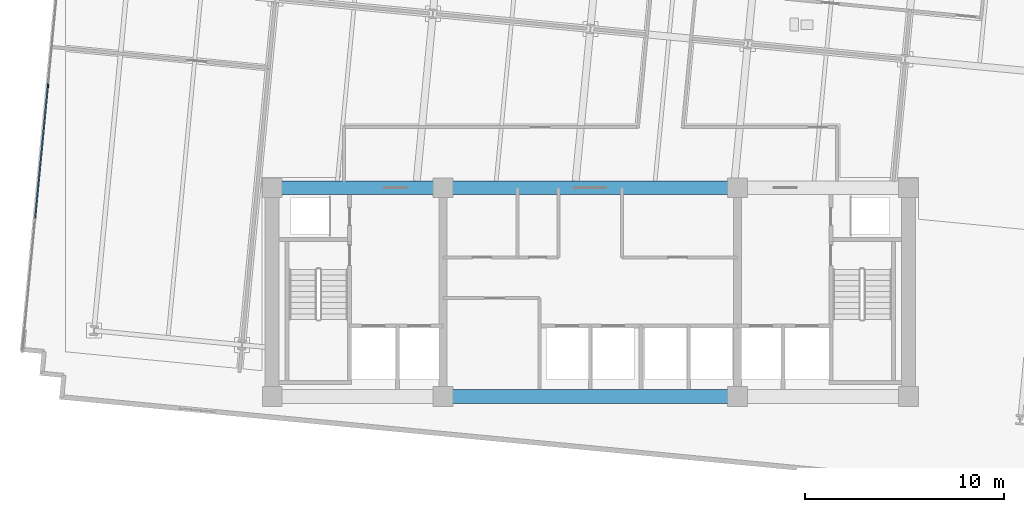
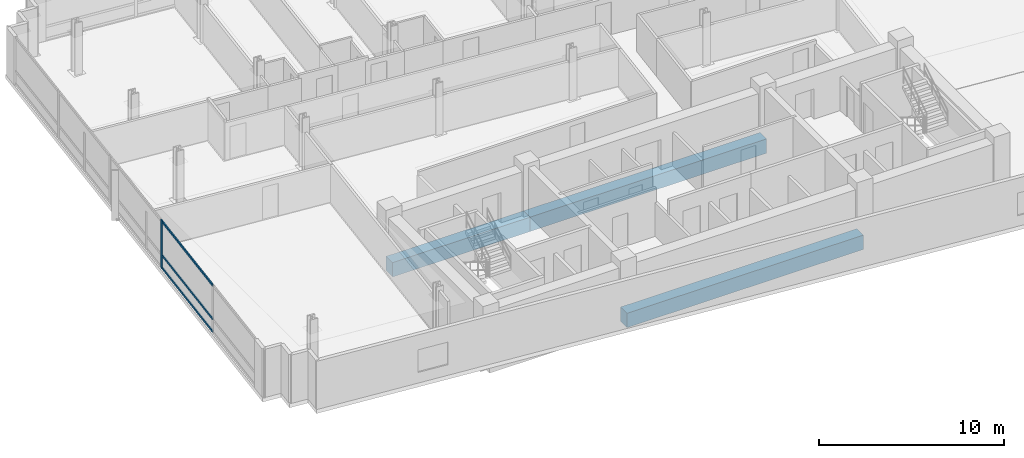
# One storey, part 3 of 17: 4 members, 3 beams, 1 element without a shape of its own.
"""IFC4 building model written with IfcOpenShell, lengths in metres."""

from ifc_helpers import new_model, si_unit, direction, frame, origin, origin_2d, place, context, subcontext, project, spatial, rectangle, extrude, material, material_profile, profile_set, type_object, element, aggregate, save


model = new_model("IFC4")

# Units and contexts
model_context = context("Model", 3, precision=1e-05, world=origin(), true_north=direction((0.0, 1.0)))
body_context = subcontext(model_context, "Body", "Model", "MODEL_VIEW")
ifc_project = project(units=[si_unit("LENGTHUNIT", "METRE"), si_unit("AREAUNIT", "SQUARE_METRE"), si_unit("VOLUMEUNIT", "CUBIC_METRE"), si_unit("PLANEANGLEUNIT", "RADIAN"), si_unit("MASSUNIT", "GRAM", prefix="KILO")], contexts=[model_context])

# Site, building, storey
site_placement = place(None, origin())
site = spatial("IfcSite", under=ifc_project, at=site_placement, CompositionType="ELEMENT")
building_placement = place(site_placement, origin())
building = spatial("IfcBuilding", under=site, at=building_placement, Name="Solmavex Isthmus Hotel", CompositionType="ELEMENT")
storey_placement = place(building_placement, frame((0.0, 0.0, 156.60009765625)))
storey = spatial("IfcBuildingStorey", under=building, at=storey_placement, Name="L42", CompositionType="ELEMENT", Elevation=156.60009765625)

# Beams
ifc_material_1 = material(Name="Concrete C60/75", Category="concrete")
ifc_material_profile_1 = material_profile(ifc_material_1, rectangle(XDim=0.699951171875, YDim=0.949951171875, at=origin_2d()), Name="RC700X950")
ifc_profile_set_1 = profile_set([ifc_material_profile_1], Name="Concrete C60/75")
beam_type = type_object("IfcBeamType", Name="BM-CB-700X950", PredefinedType="BEAM", material=ifc_profile_set_1)
beam_1_placement = place(storey_placement, frame((-7.39990234375, -13.0, -0.735107421875), z_axis=(1.0, 0.0, 0.0), x_axis=(0.0, 1.0, 0.0)))
element("IfcBeam", 1, at=beam_1_placement, inside=storey, type_object=beam_type, Name="Core Coupling Beam L42-CB2", PredefinedType="BEAM", context=body_context, shape_type="SweptSolid", body=[
    extrude(rectangle(XDim=0.699951171875, YDim=0.949951171875, at=origin_2d()), origin(), (0.0, 0.0, 1.0), 14.7998046875),
])
beam_2_placement = place(storey_placement, frame((-16.0, -2.5, -0.735107421875), z_axis=(1.0, 0.0, 0.0), x_axis=(0.0, 1.0, 0.0)))
element("IfcBeam", 2, at=beam_2_placement, inside=storey, type_object=beam_type, Name="Core Coupling Beam L42-CB4", PredefinedType="BEAM", context=body_context, shape_type="SweptSolid", body=[
    extrude(rectangle(XDim=0.699951171875, YDim=0.949951171875, at=origin_2d()), origin(), (0.0, 0.0, 1.0), 8.60009765625),
])
beam_3_placement = place(storey_placement, frame((-7.39990234375, -2.5, -0.735107421875), z_axis=(1.0, 0.0, 0.0), x_axis=(0.0, 1.0, 0.0)))
element("IfcBeam", 3, at=beam_3_placement, inside=storey, type_object=beam_type, Name="Core Coupling Beam L42-CB5", PredefinedType="BEAM", context=body_context, shape_type="SweptSolid", body=[
    extrude(rectangle(XDim=0.699951171875, YDim=0.949951171875, at=origin_2d()), origin(), (0.0, 0.0, 1.0), 14.7998046875),
])

# Curtain wall, members
ifc_material_2 = material(Name="Aluminium alloy 6063-T6", Category="aluminium")
curtain_wall_type = type_object("IfcCurtainWallType", Name="CW-SYS-03", PredefinedType="NOTDEFINED", material=ifc_material_2)
curtain_wall_placement = place(storey_placement, origin())
curtain_wall = element("IfcCurtainWall", 4, at=curtain_wall_placement, inside=storey, type_object=curtain_wall_type, Name="Stick Curtain Wall CWL-L42-W1", PredefinedType="NOTDEFINED")
ifc_material_profile_2 = material_profile(ifc_material_2, rectangle(XDim=0.070068359375, YDim=0.179931640625, at=origin_2d()), Name="CWM-70X180")
ifc_profile_set_2 = profile_set([ifc_material_profile_2], Name="Aluminium alloy 6063-T6")
member_type_1 = type_object("IfcMemberType", Name="CW-SYS-03-MUL", PredefinedType="MULLION", material=ifc_profile_set_2)
member_1_placement = place(storey_placement, frame((-27.2783203125, 2.6318359375, 0.0), z_axis=(0.0, 0.0, 1.0), x_axis=(-0.995396190038, 0.09584583902, 0.0)))
member_1 = element("IfcMember", 5, at=member_1_placement, type_object=member_type_1, Name="CW-03 mullion 3", PredefinedType="MULLION", context=body_context, shape_type="SweptSolid", body=[
    extrude(rectangle(XDim=0.070068359375, YDim=0.179931640625, at=origin_2d()), origin(), (0.0, 0.0, 1.0), 3.18994140625),
])
ifc_material_profile_3 = material_profile(ifc_material_2, rectangle(XDim=0.070068359375, YDim=0.139892578125, at=origin_2d()), Name="CWT-70X140")
ifc_profile_set_3 = profile_set([ifc_material_profile_3], Name="Aluminium alloy 6063-T6")
member_type_2 = type_object("IfcMemberType", Name="CW-SYS-03-TRN", PredefinedType="USERDEFINED", material=ifc_profile_set_3)
member_2_placement = place(storey_placement, frame((-27.9189453125, -4.0224609375, 0.06982421875), z_axis=(0.095820836451, 0.995398597197, 0.0), x_axis=(-0.995398597197, 0.095820836451, 0.0)))
member_2 = element("IfcMember", 6, at=member_2_placement, type_object=member_type_2, Name="CW-03 transom 2.1", ObjectType="TRANSOM", PredefinedType="USERDEFINED", context=body_context, shape_type="SweptSolid", body=[
    extrude(rectangle(XDim=0.070068359375, YDim=0.139892578125, at=origin_2d()), origin(), (0.0, 0.0, 1.0), 6.64990234375),
])
member_3_placement = place(storey_placement, frame((-27.9189453125, -4.0224609375, 0.89990234375), z_axis=(0.095820836451, 0.995398597197, 0.0), x_axis=(-0.995398597197, 0.095820836451, 0.0)))
member_3 = element("IfcMember", 7, at=member_3_placement, type_object=member_type_2, Name="CW-03 transom 2.2", ObjectType="TRANSOM", PredefinedType="USERDEFINED", context=body_context, shape_type="SweptSolid", body=[
    extrude(rectangle(XDim=0.070068359375, YDim=0.139892578125, at=origin_2d()), origin(), (0.0, 0.0, 1.0), 6.64990234375),
])
member_4_placement = place(storey_placement, frame((-27.9189453125, -4.0224609375, 3.119873046875), z_axis=(0.095820836451, 0.995398597197, 0.0), x_axis=(-0.995398597197, 0.095820836451, 0.0)))
member_4 = element("IfcMember", 8, at=member_4_placement, type_object=member_type_2, Name="CW-03 transom 2.3", ObjectType="TRANSOM", PredefinedType="USERDEFINED", context=body_context, shape_type="SweptSolid", body=[
    extrude(rectangle(XDim=0.070068359375, YDim=0.139892578125, at=origin_2d()), origin(), (0.0, 0.0, 1.0), 6.64990234375),
])
aggregate(curtain_wall, [member_1, member_2, member_3, member_4])

save(model, "model.ifc")
